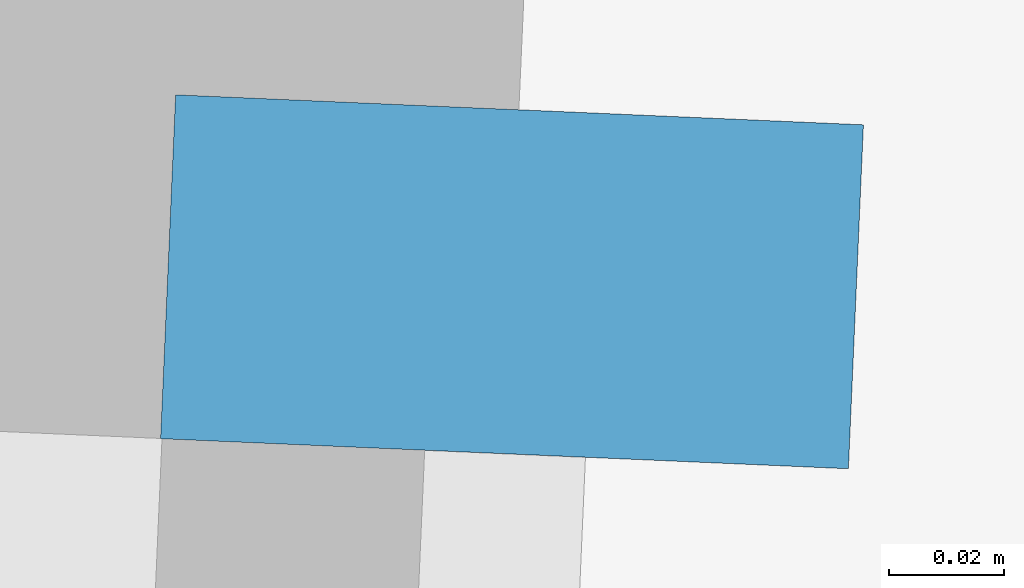
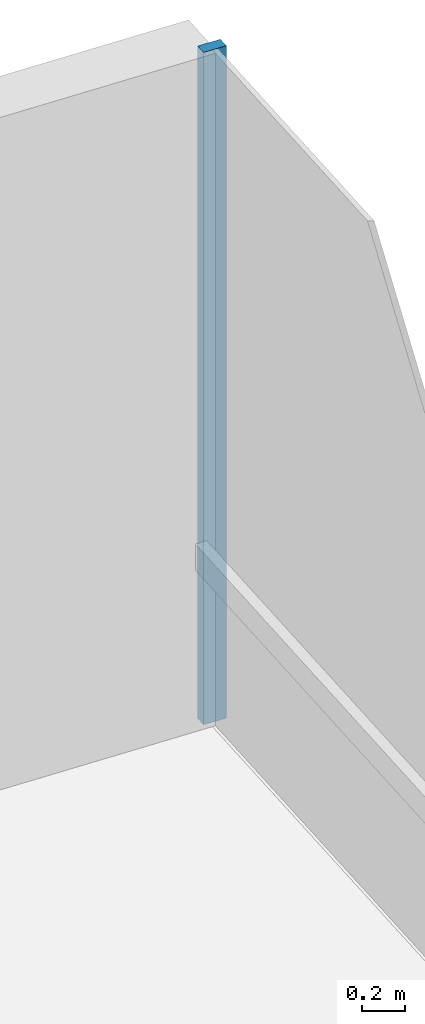
# One storey, part 14 of 20: 1 member, 1 element without a shape of its own.
"""IFC4 building model written with IfcOpenShell, lengths in metres."""

from ifc_helpers import new_model, si_unit, direction, frame, origin, origin_2d, place, context, subcontext, project, spatial, rectangle, extrude, material, layer, layer_set, material_profile, profile_set, type_object, element, aggregate, save


model = new_model("IFC4")

# Units and contexts
model_context = context("Model", 3, precision=1e-05, world=origin(), true_north=direction((0.0, 1.0)))
body_context = subcontext(model_context, "Body", "Model", "MODEL_VIEW")
ifc_project = project(units=[si_unit("LENGTHUNIT", "METRE"), si_unit("AREAUNIT", "SQUARE_METRE"), si_unit("VOLUMEUNIT", "CUBIC_METRE"), si_unit("PLANEANGLEUNIT", "RADIAN"), si_unit("MASSUNIT", "GRAM", prefix="KILO")], contexts=[model_context])

# Site, building, storey
site_placement = place(None, origin())
site = spatial("IfcSite", under=ifc_project, at=site_placement, CompositionType="ELEMENT")
building_placement = place(site_placement, origin())
building = spatial("IfcBuilding", under=site, at=building_placement, Name="Welwitschia Terrace Campus", CompositionType="ELEMENT")
storey_placement = place(building_placement, frame((0.0, 0.0, 239.0)))
storey = spatial("IfcBuildingStorey", under=building, at=storey_placement, Name="L53", CompositionType="ELEMENT", Elevation=239.0)

# Curtain wall, member
ifc_material_1 = material(Name="Bronze anodised aluminium", Category="aluminium")
ifc_layer = layer(ifc_material_1, 0.1201171875)
ifc_layer_set = layer_set([ifc_layer], Name="Bronze anodised aluminium")
curtain_wall_type = type_object("IfcCurtainWallType", Name="Curtain wall CW2 tower 6000", PredefinedType="NOTDEFINED", material=ifc_layer_set)
curtain_wall_placement = place(storey_placement, origin())
curtain_wall = element("IfcCurtainWall", 1, at=curtain_wall_placement, inside=storey, type_object=curtain_wall_type, Name="CW L53.7.0", PredefinedType="NOTDEFINED")
ifc_material_2 = material(Name="Bronze anodised aluminium", Category="aluminium")
ifc_material_profile = material_profile(ifc_material_2, rectangle(XDim=0.1201171875, YDim=0.06005859375, at=origin_2d()))
ifc_profile_set = profile_set([ifc_material_profile], Name="Bronze anodised aluminium")
member_type = type_object("IfcMemberType", Name="Mullion 60x120", PredefinedType="MULLION", material=ifc_profile_set)
member_placement = place(storey_placement, frame((26.52880859375, 70.477294921875, 0.0), z_axis=(0.0, 0.0, 1.0), x_axis=(-0.999048221582, 0.043619387365, 0.0)))
member = element("IfcMember", 2, at=member_placement, type_object=member_type, Name="Mullion L53.7.0.6", PredefinedType="MULLION", context=body_context, shape_type="SweptSolid", body=[
    extrude(rectangle(XDim=0.1201171875, YDim=0.06005859375, at=origin_2d()), origin(), (0.0, 0.0, 1.0), 3.85009765625),
])
aggregate(curtain_wall, [member])

save(model, "model.ifc")
